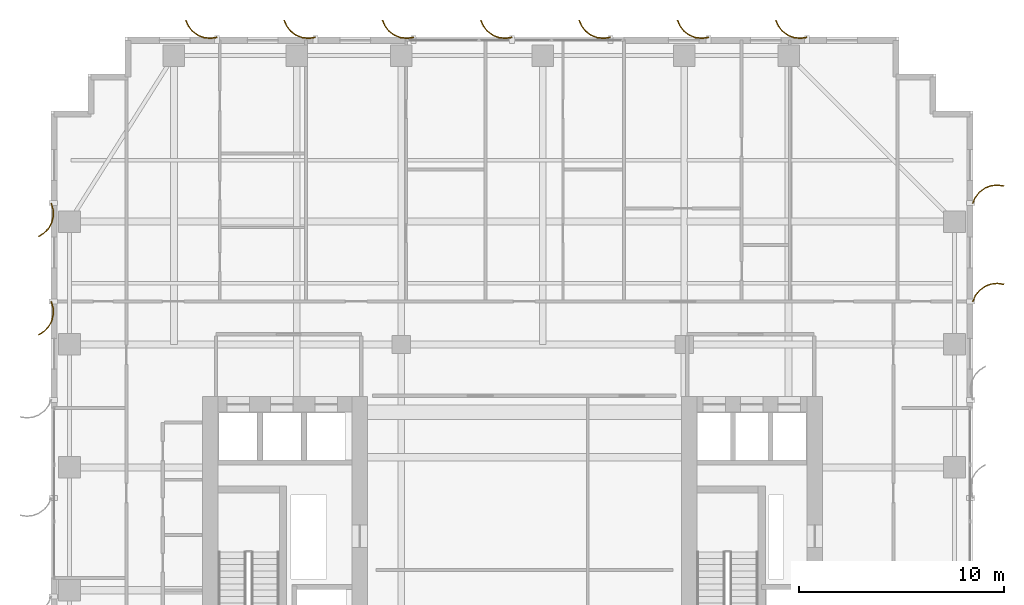
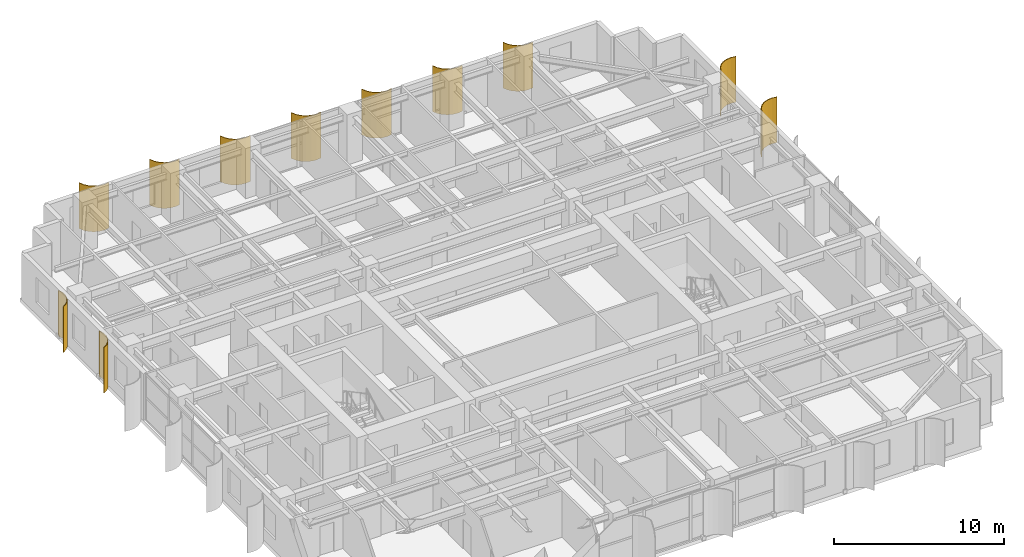
# One storey, part 19 of 19: 11 shading devices.
"""IFC4 building model written with IfcOpenShell, lengths in metres."""

from ifc_helpers import new_model, si_unit, direction, frame, origin, place, context, subcontext, project, spatial, polyline, outline, extrude, source, transform, mapped, material, layer, layer_set, type_object, element, save


model = new_model("IFC4")

# Units and contexts
model_context = context("Model", 3, precision=1e-05, world=origin(), true_north=direction((0.0, 1.0)))
body_context = subcontext(model_context, "Body", "Model", "MODEL_VIEW")
ifc_project = project(units=[si_unit("LENGTHUNIT", "METRE"), si_unit("AREAUNIT", "SQUARE_METRE"), si_unit("VOLUMEUNIT", "CUBIC_METRE"), si_unit("PLANEANGLEUNIT", "RADIAN"), si_unit("MASSUNIT", "GRAM", prefix="KILO")], contexts=[model_context])

# Site, building, storey
site_placement = place(None, origin())
site = spatial("IfcSite", under=ifc_project, at=site_placement, CompositionType="ELEMENT")
building_placement = place(site_placement, origin())
building = spatial("IfcBuilding", under=site, at=building_placement, Name="Khoralis Quay Care Tower", CompositionType="ELEMENT")
storey_placement = place(building_placement, frame((0.0, 0.0, 90.89990234375)))
storey = spatial("IfcBuildingStorey", under=building, at=storey_placement, Name="L23", CompositionType="ELEMENT", Elevation=90.89990234375)

# Shading devices
ifc_material = material(Name="Brushed pale anodised aluminium", Category="aluminium")
ifc_layer = layer(ifc_material, 0.044921875)
ifc_layer_set = layer_set([ifc_layer], Name="Brushed pale anodised aluminium")
shading_device_type = type_object("IfcShadingDeviceType", Name="SHD-FIN-1250", PredefinedType="USERDEFINED", material=ifc_layer_set)
shared_shape_1 = source(origin(), body_context, "Body", "SweptSolid", [
    extrude(outline(polyline([(0.0, 0.0), (-0.04833984375, 0.32275390625), (-0.01123046875, 0.64697265625), (0.1083984375, 0.950439453125), (0.302490234375, 1.212890625), (0.557861328125, 1.416015625), (0.85693359375, 1.546142578125), (0.869384765625, 1.5029296875), (0.5810546875, 1.37744140625), (0.334716796875, 1.181640625), (0.147705078125, 0.9287109375), (0.032470703125, 0.635986328125), (-0.003173828125, 0.323486328125), (0.043212890625, 0.012451171875), (0.0, 0.0)])), origin(), (0.0, 0.0, 1.0), 3.280029296875),
])
for number, where, z_axis, x_axis, name in (
    (1, (36.89990234375, 44.969970703125, 0.02001953125), (0.0, 0.0, 1.0), (0.0, 1.0, 0.0), "L23 Curved Solar Fin P1E10-01"),
    (2, (32.10009765625, 44.969970703125, 0.02001953125), (0.0, 0.0, 1.0), (0.0, 1.0, 0.0), "L23 Curved Solar Fin P1E10-02"),
    (3, (27.300048828125, 44.969970703125, 0.02001953125), (0.0, 0.0, 1.0), (0.0, 1.0, 0.0), "L23 Curved Solar Fin P1E10-03"),
    (4, (22.5, 44.969970703125, 0.02001953125), (0.0, 0.0, 1.0), (0.0, 1.0, 0.0), "L23 Curved Solar Fin P1E10-04"),
    (5, (17.699951171875, 44.969970703125, 0.02001953125), (0.0, 0.0, 1.0), (0.0, 1.0, 0.0), "L23 Curved Solar Fin P1E10-05"),
    (6, (12.89990234375, 44.969970703125, 0.02001953125), (0.0, 0.0, 1.0), (0.0, 1.0, 0.0), "L23 Curved Solar Fin P1E10-06"),
    (7, (8.10009765625, 44.969970703125, 0.02001953125), (0.0, 0.0, 1.0), (0.0, 1.0, 0.0), "L23 Curved Solar Fin P1E10-07"),
):
    element("IfcShadingDevice", number, at=place(storey_placement, frame(where, z_axis=z_axis, x_axis=x_axis)), inside=storey, type_object=shading_device_type, Name=name, ObjectType="FIN", PredefinedType="USERDEFINED", context=body_context, shape_type="MappedRepresentation", body=[
        mapped(shared_shape_1, transform((0.0, 0.0, 0.0), scale=1.0)),
    ])
shared_shape_2 = source(origin(), body_context, "Body", "SweptSolid", [
    extrude(outline(polyline([(0.0, 0.0), (-0.0927734375, 0.31298828125), (-0.101318359375, 0.63916015625), (-0.025146484375, 0.956298828125), (0.130615234375, 1.2431640625), (0.355224609375, 1.479736328125), (0.633544921875, 1.650390625), (0.65185546875, 1.609130859375), (0.383544921875, 1.44482421875), (0.1669921875, 1.216796875), (0.01708984375, 0.940185546875), (-0.056396484375, 0.63427734375), (-0.04833984375, 0.31982421875), (0.041015625, 0.018310546875), (0.0, 0.0)])), origin(), (0.0, 0.0, 1.0), 3.280029296875),
])
for number, where, z_axis, x_axis, name in (
    (8, (0.030029296875, 36.89990234375, 0.02001953125), (0.0, 0.0, 1.0), (-1.0, 0.0, 0.0), "L23 Curved Solar Fin P1E15-01"),
    (9, (0.030029296875, 32.10009765625, 0.02001953125), (0.0, 0.0, 1.0), (-1.0, 0.0, 0.0), "L23 Curved Solar Fin P1E15-02"),
):
    element("IfcShadingDevice", number, at=place(storey_placement, frame(where, z_axis=z_axis, x_axis=x_axis)), inside=storey, type_object=shading_device_type, Name=name, ObjectType="FIN", PredefinedType="USERDEFINED", context=body_context, shape_type="MappedRepresentation", body=[
        mapped(shared_shape_2, transform((0.0, 0.0, 0.0), scale=1.0)),
    ])
shared_shape_3 = source(origin(), body_context, "Body", "SweptSolid", [
    extrude(outline(polyline([(0.0, 0.0), (0.130126953125, 0.29931640625), (0.333251953125, 0.5546875), (0.595458984375, 0.748779296875), (0.899169921875, 0.868408203125), (1.223388671875, 0.9052734375), (1.546142578125, 0.85693359375), (1.53369140625, 0.813720703125), (1.22265625, 0.8603515625), (0.91015625, 0.82470703125), (0.617431640625, 0.70947265625), (0.364501953125, 0.522216796875), (0.168701171875, 0.276123046875), (0.043212890625, -0.012451171875), (0.0, 0.0)])), origin(), (0.0, 0.0, 1.0), 3.280029296875),
])
for number, where, z_axis, x_axis, name in (
    (10, (44.969970703125, 32.10009765625, 0.02001953125), (0.0, 0.0, 1.0), (1.0, 0.0, 0.0), "L23 Curved Solar Fin P1E5-06"),
    (11, (44.969970703125, 36.89990234375, 0.02001953125), (0.0, 0.0, 1.0), (1.0, 0.0, 0.0), "L23 Curved Solar Fin P1E5-07"),
):
    element("IfcShadingDevice", number, at=place(storey_placement, frame(where, z_axis=z_axis, x_axis=x_axis)), inside=storey, type_object=shading_device_type, Name=name, ObjectType="FIN", PredefinedType="USERDEFINED", context=body_context, shape_type="MappedRepresentation", body=[
        mapped(shared_shape_3, transform((0.0, 0.0, 0.0), scale=1.0)),
    ])

save(model, "model.ifc")
